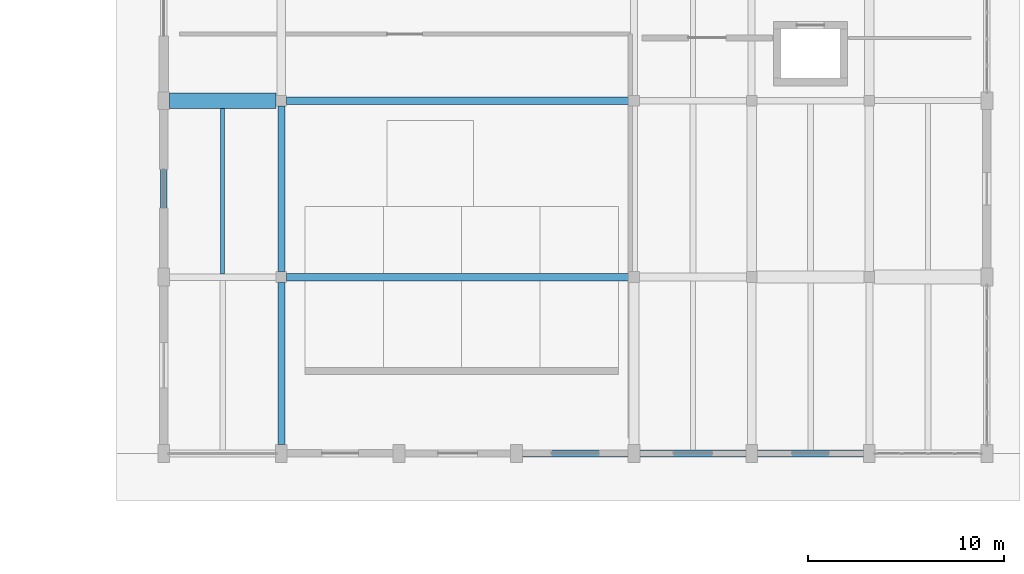
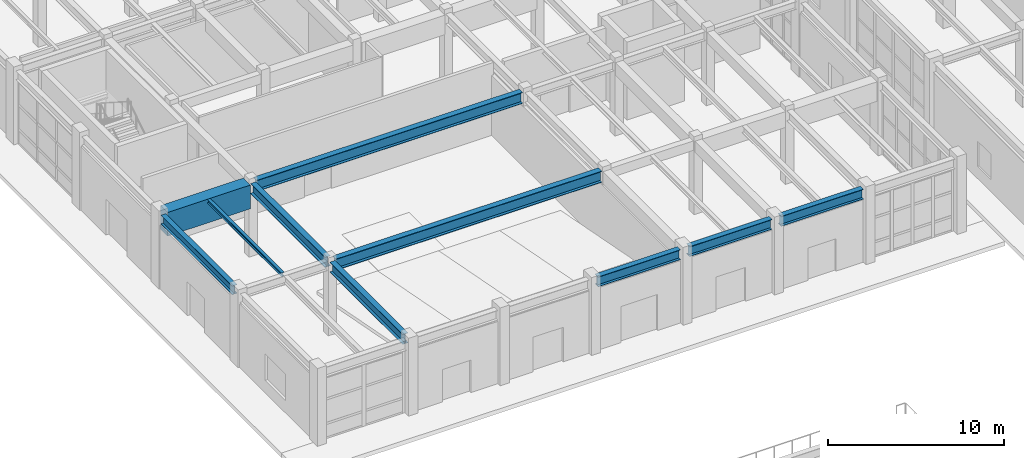
# One storey, part 8 of 91: 10 beams.
"""IFC4 building model written with IfcOpenShell, lengths in metres."""

from ifc_helpers import new_model, si_unit, direction, frame, origin, origin_2d, place, context, subcontext, project, spatial, rectangle, i_section, extrude, material, material_profile, profile_set, type_object, element, save


model = new_model("IFC4")

# Units and contexts
model_context = context("Model", 3, precision=1e-05, world=origin(), true_north=direction((0.0, 1.0)))
body_context = subcontext(model_context, "Body", "Model", "MODEL_VIEW")
ifc_project = project(units=[si_unit("LENGTHUNIT", "METRE"), si_unit("AREAUNIT", "SQUARE_METRE"), si_unit("VOLUMEUNIT", "CUBIC_METRE"), si_unit("PLANEANGLEUNIT", "RADIAN"), si_unit("MASSUNIT", "GRAM", prefix="KILO")], contexts=[model_context])

# Site, building, storey
site_placement = place(None, origin())
site = spatial("IfcSite", under=ifc_project, at=site_placement, CompositionType="ELEMENT")
building_placement = place(site_placement, origin())
building = spatial("IfcBuilding", under=site, at=building_placement, Name="Vaelkrest Opera House", CompositionType="ELEMENT")
storey_placement = place(building_placement, origin())
storey = spatial("IfcBuildingStorey", under=building, at=storey_placement, Name="L00", CompositionType="ELEMENT", Elevation=0.0)

# Beams
ifc_material_1 = material(Name="Concrete C50/60", Category="concrete")
ifc_material_profile_1 = material_profile(ifc_material_1, rectangle(XDim=0.800048828125, YDim=1.64990234375, at=origin_2d()), Name="RCB800X1650")
ifc_profile_set_1 = profile_set([ifc_material_profile_1], Name="Concrete C50/60")
beam_type_1 = type_object("IfcBeamType", Name="B07", PredefinedType="BEAM", material=ifc_profile_set_1)
beam_1_placement = place(storey_placement, frame((-75.300048828125, 1.199951171875, 4.2548828125), z_axis=(1.0, 0.0, 0.0), x_axis=(0.0, 1.0, 0.0)))
element("IfcBeam", 1, at=beam_1_placement, inside=storey, type_object=beam_type_1, Name="Beam BM-V3-L00-1392", PredefinedType="BEAM", context=body_context, shape_type="SweptSolid", body=[
    extrude(rectangle(XDim=0.800048828125, YDim=1.64990234375, at=origin_2d()), origin(), (0.0, 0.0, 1.0), 5.425048828125),
])
ifc_material_2 = material(Name="Steel A992 Gr50", Category="steel")
ifc_material_profile_2 = material_profile(ifc_material_2, i_section(OverallWidth=0.35498046875, OverallDepth=0.695068359375, WebThickness=0.015380859375, FlangeThickness=0.02490234375, at=origin_2d()), Name="W27X146")
ifc_profile_set_2 = profile_set([ifc_material_profile_2], Name="Steel A992 Gr50")
beam_type_2 = type_object("IfcBeamType", Name="B10", PredefinedType="BEAM", material=ifc_profile_set_2)
beam_2_placement = place(storey_placement, frame((-69.60009765625, -16.35009765625, 4.732421875), z_axis=(0.0, 1.0, 0.0), x_axis=(-1.0, 0.0, 0.0)))
element("IfcBeam", 2, at=beam_2_placement, inside=storey, type_object=beam_type_2, Name="Beam BM-V3-L00-1437", PredefinedType="BEAM", context=body_context, shape_type="SweptSolid", body=[
    extrude(i_section(OverallWidth=0.35498046875, OverallDepth=0.695068359375, WebThickness=0.015380859375, FlangeThickness=0.02490234375, at=origin_2d()), origin(), (0.0, 0.0, 1.0), 8.275146484375),
])
ifc_material_profile_3 = material_profile(ifc_material_2, i_section(OverallWidth=0.381103515625, OverallDepth=0.77294921875, WebThickness=0.0166015625, FlangeThickness=0.027099609375, at=origin_2d()), Name="W30X173")
ifc_profile_set_3 = profile_set([ifc_material_profile_3], Name="Steel A992 Gr50")
beam_type_3 = type_object("IfcBeamType", Name="B11", PredefinedType="BEAM", material=ifc_profile_set_3)
beam_3_placement = place(storey_placement, frame((-69.324951171875, 1.199951171875, 4.693603515625), z_axis=(1.0, 0.0, 0.0), x_axis=(0.0, 1.0, 0.0)))
element("IfcBeam", 3, at=beam_3_placement, inside=storey, type_object=beam_type_3, Name="Beam BM-V3-L00-1393", PredefinedType="BEAM", context=body_context, shape_type="SweptSolid", body=[
    extrude(i_section(OverallWidth=0.381103515625, OverallDepth=0.77294921875, WebThickness=0.0166015625, FlangeThickness=0.027099609375, at=origin_2d()), origin(), (0.0, 0.0, 1.0), 17.449951171875),
])
ifc_material_profile_4 = material_profile(ifc_material_2, i_section(OverallWidth=0.35791015625, OverallDepth=0.7060546875, WebThickness=0.018310546875, FlangeThickness=0.0302734375, at=origin_2d()), Name="W27X178")
ifc_profile_set_4 = profile_set([ifc_material_profile_4], Name="Steel A992 Gr50")
beam_type_4 = type_object("IfcBeamType", Name="B14", PredefinedType="BEAM", material=ifc_profile_set_4)
beam_4_placement = place(storey_placement, frame((-69.60009765625, -7.52490234375, 4.72705078125), z_axis=(0.0, 1.0, 0.0), x_axis=(-1.0, 0.0, 0.0)))
element("IfcBeam", 4, at=beam_4_placement, inside=storey, type_object=beam_type_4, Name="Beam BM-V3-L00-1438", PredefinedType="BEAM", context=body_context, shape_type="SweptSolid", body=[
    extrude(i_section(OverallWidth=0.35791015625, OverallDepth=0.7060546875, WebThickness=0.018310546875, FlangeThickness=0.0302734375, at=origin_2d()), origin(), (0.0, 0.0, 1.0), 8.449951171875),
])
ifc_material_profile_5 = material_profile(ifc_material_2, i_section(OverallWidth=0.384033203125, OverallDepth=0.785888671875, WebThickness=0.019775390625, FlangeThickness=0.033447265625, at=origin_2d()), Name="W30X211")
ifc_profile_set_5 = profile_set([ifc_material_profile_5], Name="Steel A992 Gr50")
beam_type_5 = type_object("IfcBeamType", Name="B16", PredefinedType="BEAM", material=ifc_profile_set_5)
beam_5_placement = place(storey_placement, frame((-69.324951171875, -7.800048828125, 4.68701171875), z_axis=(1.0, 0.0, 0.0), x_axis=(0.0, 1.0, 0.0)))
element("IfcBeam", 5, at=beam_5_placement, inside=storey, type_object=beam_type_5, Name="Beam BM-V3-L00-1388", PredefinedType="BEAM", context=body_context, shape_type="SweptSolid", body=[
    extrude(i_section(OverallWidth=0.384033203125, OverallDepth=0.785888671875, WebThickness=0.019775390625, FlangeThickness=0.033447265625, at=origin_2d()), origin(), (0.0, 0.0, 1.0), 17.449951171875),
])
ifc_material_profile_6 = material_profile(ifc_material_2, i_section(OverallWidth=0.2041015625, OverallDepth=0.257080078125, WebThickness=0.0087890625, FlangeThickness=0.015625, at=origin_2d()), Name="W10X45")
ifc_profile_set_6 = profile_set([ifc_material_profile_6], Name="Steel A992 Gr50")
beam_type_6 = type_object("IfcBeamType", Name="J01", PredefinedType="JOIST", material=ifc_profile_set_6)
beam_6_placement = place(storey_placement, frame((-72.60009765625, -7.636474609375, 4.951416015625), z_axis=(0.0, 1.0, 0.0), x_axis=(-1.0, 0.0, 0.0)))
element("IfcBeam", 6, at=beam_6_placement, inside=storey, type_object=beam_type_6, Name="Floor joist JST-V3-L00-1481", PredefinedType="JOIST", context=body_context, shape_type="SweptSolid", body=[
    extrude(i_section(OverallWidth=0.2041015625, OverallDepth=0.257080078125, WebThickness=0.0087890625, FlangeThickness=0.015625, at=origin_2d()), origin(), (0.0, 0.0, 1.0), 8.4365234375),
])
ifc_material_profile_7 = material_profile(ifc_material_2, i_section(OverallWidth=0.323974609375, OverallDepth=0.611083984375, WebThickness=0.0126953125, FlangeThickness=0.01904296875, at=origin_2d()), Name="W24X104")
ifc_profile_set_7 = profile_set([ifc_material_profile_7], Name="Steel A992 Gr50")
beam_type_7 = type_object("IfcBeamType", Name="SP01", PredefinedType="SPANDREL", material=ifc_profile_set_7)
beam_7_placement = place(storey_placement, frame((-75.60009765625, -7.35009765625, 4.7744140625), z_axis=(0.0, 1.0, 0.0), x_axis=(-1.0, 0.0, 0.0)))
element("IfcBeam", 7, at=beam_7_placement, inside=storey, type_object=beam_type_7, Name="Beam BM-V3-L00-1431", PredefinedType="SPANDREL", context=body_context, shape_type="SweptSolid", body=[
    extrude(i_section(OverallWidth=0.323974609375, OverallDepth=0.611083984375, WebThickness=0.0126953125, FlangeThickness=0.01904296875, at=origin_2d()), origin(), (0.0, 0.0, 1.0), 8.10009765625),
])
ifc_material_profile_8 = material_profile(ifc_material_2, i_section(OverallWidth=0.35498046875, OverallDepth=0.695068359375, WebThickness=0.015380859375, FlangeThickness=0.02490234375, at=origin_2d()), Name="W27X146")
ifc_profile_set_8 = profile_set([ifc_material_profile_8], Name="Steel A992 Gr50")
beam_type_8 = type_object("IfcBeamType", Name="SP02", PredefinedType="SPANDREL", material=ifc_profile_set_8)
for number, where, z_axis, x_axis, name in (
    (8, (-57.300048828125, -16.800048828125, 4.732421875), (1.0, 0.0, 0.0), (0.0, 1.0, 0.0), "Beam BM-V3-L00-1383"),
    (9, (-51.300048828125, -16.800048828125, 4.732421875), (1.0, 0.0, 0.0), (0.0, 1.0, 0.0), "Beam BM-V3-L00-1384"),
    (10, (-45.300048828125, -16.800048828125, 4.732421875), (1.0, 0.0, 0.0), (0.0, 1.0, 0.0), "Beam BM-V3-L00-1385"),
):
    element("IfcBeam", number, at=place(storey_placement, frame(where, z_axis=z_axis, x_axis=x_axis)), inside=storey, type_object=beam_type_8, Name=name, PredefinedType="SPANDREL", context=body_context, shape_type="SweptSolid", body=[
        extrude(i_section(OverallWidth=0.35498046875, OverallDepth=0.695068359375, WebThickness=0.015380859375, FlangeThickness=0.02490234375, at=origin_2d()), origin(), (0.0, 0.0, 1.0), 5.400146484375),
    ])

save(model, "model.ifc")
